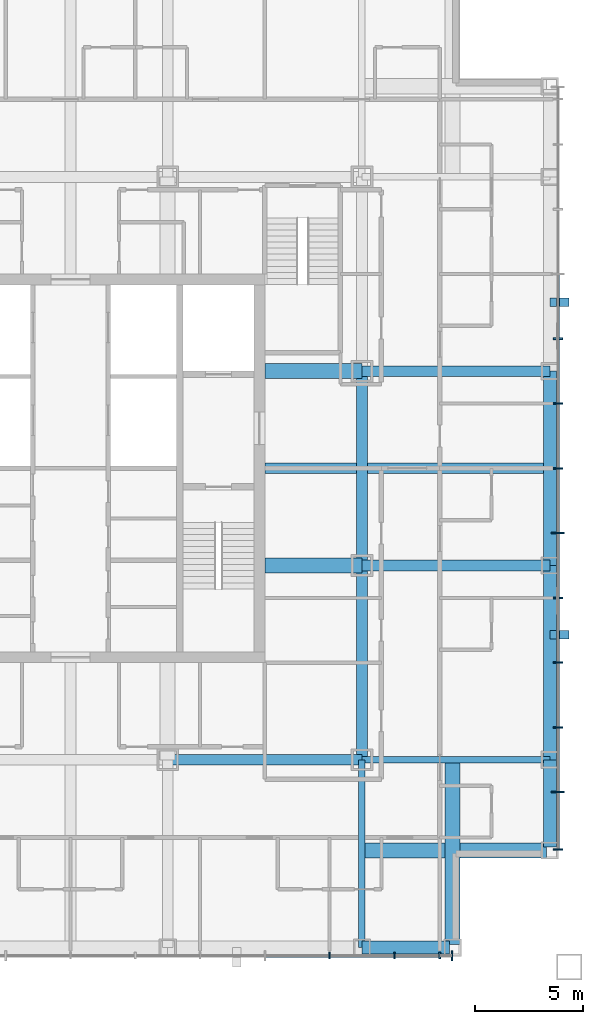
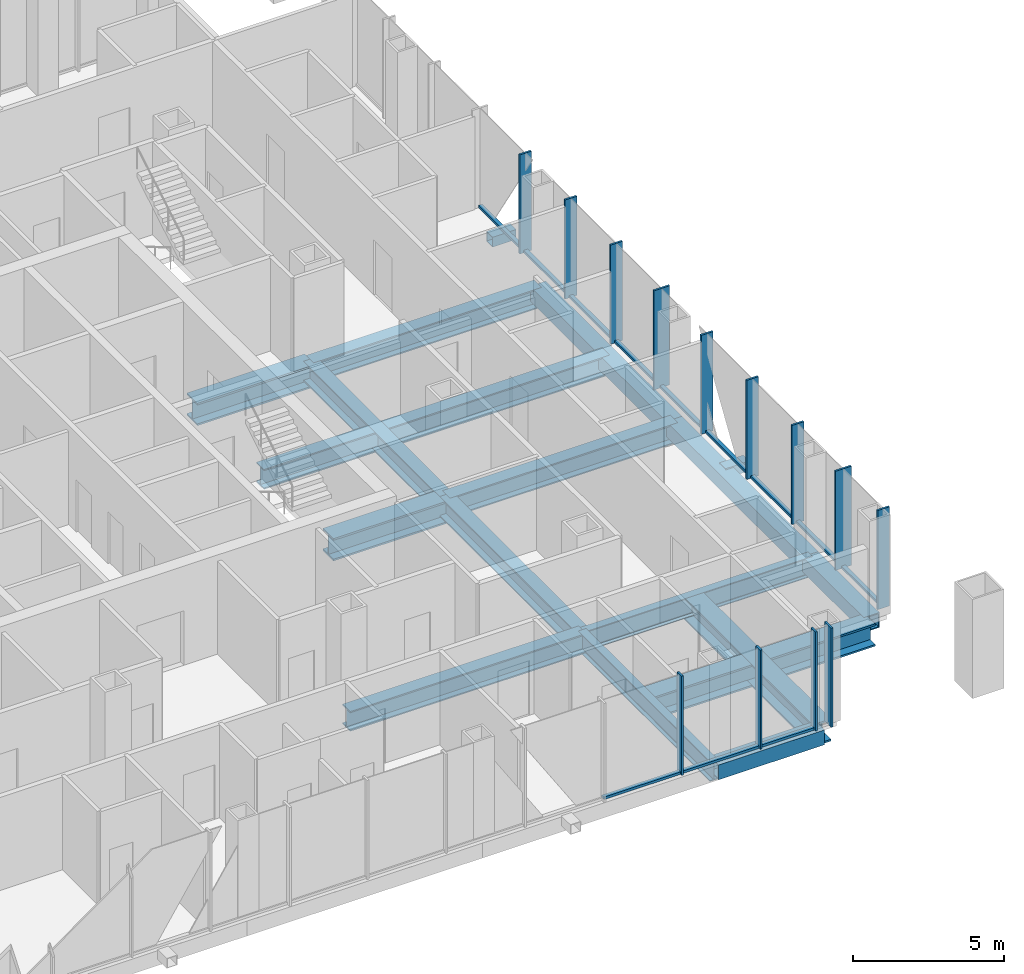
# One storey, part 3 of 20: 27 members, 16 beams, 2 elements without a shape of their own.
"""IFC4 building model written with IfcOpenShell, lengths in metres."""

from ifc_helpers import new_model, si_unit, direction, frame, origin, origin_2d, place, context, subcontext, project, spatial, rectangle, hollow_rectangle, i_section, extrude, material, layer, layer_set, material_profile, profile_set, type_object, element, aggregate, save


model = new_model("IFC4")

# Units and contexts
model_context = context("Model", 3, precision=1e-05, world=origin(), true_north=direction((0.0, 1.0)))
body_context = subcontext(model_context, "Body", "Model", "MODEL_VIEW")
ifc_project = project(units=[si_unit("LENGTHUNIT", "METRE"), si_unit("AREAUNIT", "SQUARE_METRE"), si_unit("VOLUMEUNIT", "CUBIC_METRE"), si_unit("PLANEANGLEUNIT", "RADIAN"), si_unit("MASSUNIT", "GRAM", prefix="KILO")], contexts=[model_context])

# Site, building, storey
site_placement = place(None, origin())
site = spatial("IfcSite", under=ifc_project, at=site_placement, CompositionType="ELEMENT")
building_placement = place(site_placement, origin())
building = spatial("IfcBuilding", under=site, at=building_placement, Name="Malebo Sky Hospital", CompositionType="ELEMENT")
storey_placement = place(building_placement, frame((0.0, 0.0, 233.0)))
storey = spatial("IfcBuildingStorey", under=building, at=storey_placement, Name="L56", CompositionType="ELEMENT", Elevation=233.0)

# Curtain wall, members
ifc_material_1 = material(Name="Anodised aluminium, natural silver", Category="aluminium")
ifc_layer_1 = layer(ifc_material_1, 0.25)
ifc_layer_set_1 = layer_set([ifc_layer_1], Name="WARD CURTAIN WALL NORTH AND SOUTH")
curtain_wall_type_1 = type_object("IfcCurtainWallType", Name="WARD CURTAIN WALL NORTH AND SOUTH", PredefinedType="NOTDEFINED", material=ifc_layer_set_1)
curtain_wall_1_placement = place(storey_placement, origin())
curtain_wall_1 = element("IfcCurtainWall", 1, at=curtain_wall_1_placement, inside=storey, type_object=curtain_wall_type_1, Name="NS curtain wall S", PredefinedType="NOTDEFINED")
ifc_material_profile_1 = material_profile(ifc_material_1, rectangle(XDim=0.14990234375, YDim=0.10009765625, at=origin_2d()), Name="ALUMINIUM TRANSOM 150x100")
ifc_profile_set_1 = profile_set([ifc_material_profile_1], Name="Anodised aluminium, natural silver")
member_type_1 = type_object("IfcMemberType", Name="ALUMINIUM TRANSOM 150x100", PredefinedType="USERDEFINED", material=ifc_profile_set_1)
member_1_placement = place(storey_placement, frame((77.0625, 39.425048828125, 0.050048828125), z_axis=(-1.0, 0.0, 0.0), x_axis=(0.0, -1.0, 0.0)))
member_1 = element("IfcMember", 2, at=member_1_placement, type_object=member_type_1, Name="Transom 2", ObjectType="TRANSOM", PredefinedType="USERDEFINED", context=body_context, shape_type="SweptSolid", body=[
    extrude(rectangle(XDim=0.14990234375, YDim=0.10009765625, at=origin_2d()), origin(), (0.0, 0.0, 1.0), 2.02490234375),
])
member_2_placement = place(storey_placement, frame((74.96240234375, 39.425048828125, 0.050048828125), z_axis=(-1.0, 0.0, 0.0), x_axis=(0.0, -1.0, 0.0)))
member_2 = element("IfcMember", 3, at=member_2_placement, type_object=member_type_1, Name="Transom 3", ObjectType="TRANSOM", PredefinedType="USERDEFINED", context=body_context, shape_type="SweptSolid", body=[
    extrude(rectangle(XDim=0.14990234375, YDim=0.10009765625, at=origin_2d()), origin(), (0.0, 0.0, 1.0), 2.9248046875),
])
member_3_placement = place(storey_placement, frame((71.96240234375, 39.425048828125, 0.050048828125), z_axis=(-1.0, 0.0, 0.0), x_axis=(0.0, -1.0, 0.0)))
member_3 = element("IfcMember", 4, at=member_3_placement, type_object=member_type_1, Name="Transom 4", ObjectType="TRANSOM", PredefinedType="USERDEFINED", context=body_context, shape_type="SweptSolid", body=[
    extrude(rectangle(XDim=0.14990234375, YDim=0.10009765625, at=origin_2d()), origin(), (0.0, 0.0, 1.0), 2.9248046875),
])

ifc_layer_2 = layer(ifc_material_1, 0.25)
ifc_layer_set_2 = layer_set([ifc_layer_2], Name="WARD CURTAIN WALL EAST AND WEST")
curtain_wall_type_2 = type_object("IfcCurtainWallType", Name="WARD CURTAIN WALL EAST AND WEST", PredefinedType="NOTDEFINED", material=ifc_layer_set_2)
curtain_wall_2_placement = place(storey_placement, origin())
curtain_wall_2 = element("IfcCurtainWall", 5, at=curtain_wall_2_placement, inside=storey, type_object=curtain_wall_type_2, Name="EW curtain wall E", PredefinedType="NOTDEFINED")
member_4_placement = place(storey_placement, frame((82.574951171875, 70.96240234375, 0.050048828125), z_axis=(0.0, -1.0, 0.0), x_axis=(1.0, 0.0, 0.0)))
member_4 = element("IfcMember", 6, at=member_4_placement, type_object=member_type_1, Name="Transom 5", ObjectType="TRANSOM", PredefinedType="USERDEFINED", context=body_context, shape_type="SweptSolid", body=[
    extrude(rectangle(XDim=0.14990234375, YDim=0.10009765625, at=origin_2d()), origin(), (0.0, 0.0, 1.0), 2.9248046875),
])
member_5_placement = place(storey_placement, frame((82.574951171875, 67.96240234375, 0.050048828125), z_axis=(0.0, -1.0, 0.0), x_axis=(1.0, 0.0, 0.0)))
member_5 = element("IfcMember", 7, at=member_5_placement, type_object=member_type_1, Name="Transom 6", ObjectType="TRANSOM", PredefinedType="USERDEFINED", context=body_context, shape_type="SweptSolid", body=[
    extrude(rectangle(XDim=0.14990234375, YDim=0.10009765625, at=origin_2d()), origin(), (0.0, 0.0, 1.0), 2.9248046875),
])
member_6_placement = place(storey_placement, frame((82.574951171875, 64.96240234375, 0.050048828125), z_axis=(0.0, -1.0, 0.0), x_axis=(1.0, 0.0, 0.0)))
member_6 = element("IfcMember", 8, at=member_6_placement, type_object=member_type_1, Name="Transom 7", ObjectType="TRANSOM", PredefinedType="USERDEFINED", context=body_context, shape_type="SweptSolid", body=[
    extrude(rectangle(XDim=0.14990234375, YDim=0.10009765625, at=origin_2d()), origin(), (0.0, 0.0, 1.0), 2.9248046875),
])
member_7_placement = place(storey_placement, frame((82.574951171875, 61.96240234375, 0.050048828125), z_axis=(0.0, -1.0, 0.0), x_axis=(1.0, 0.0, 0.0)))
member_7 = element("IfcMember", 9, at=member_7_placement, type_object=member_type_1, Name="Transom 8", ObjectType="TRANSOM", PredefinedType="USERDEFINED", context=body_context, shape_type="SweptSolid", body=[
    extrude(rectangle(XDim=0.14990234375, YDim=0.10009765625, at=origin_2d()), origin(), (0.0, 0.0, 1.0), 2.9248046875),
])
member_8_placement = place(storey_placement, frame((82.574951171875, 58.96240234375, 0.050048828125), z_axis=(0.0, -1.0, 0.0), x_axis=(1.0, 0.0, 0.0)))
member_8 = element("IfcMember", 10, at=member_8_placement, type_object=member_type_1, Name="Transom 9", ObjectType="TRANSOM", PredefinedType="USERDEFINED", context=body_context, shape_type="SweptSolid", body=[
    extrude(rectangle(XDim=0.14990234375, YDim=0.10009765625, at=origin_2d()), origin(), (0.0, 0.0, 1.0), 2.9248046875),
])
member_9_placement = place(storey_placement, frame((82.574951171875, 55.96240234375, 0.050048828125), z_axis=(0.0, -1.0, 0.0), x_axis=(1.0, 0.0, 0.0)))
member_9 = element("IfcMember", 11, at=member_9_placement, type_object=member_type_1, Name="Transom 10", ObjectType="TRANSOM", PredefinedType="USERDEFINED", context=body_context, shape_type="SweptSolid", body=[
    extrude(rectangle(XDim=0.14990234375, YDim=0.10009765625, at=origin_2d()), origin(), (0.0, 0.0, 1.0), 2.9248046875),
])
member_10_placement = place(storey_placement, frame((82.574951171875, 52.96240234375, 0.050048828125), z_axis=(0.0, -1.0, 0.0), x_axis=(1.0, 0.0, 0.0)))
member_10 = element("IfcMember", 12, at=member_10_placement, type_object=member_type_1, Name="Transom 11", ObjectType="TRANSOM", PredefinedType="USERDEFINED", context=body_context, shape_type="SweptSolid", body=[
    extrude(rectangle(XDim=0.14990234375, YDim=0.10009765625, at=origin_2d()), origin(), (0.0, 0.0, 1.0), 2.9248046875),
])
member_11_placement = place(storey_placement, frame((82.574951171875, 49.96240234375, 0.050048828125), z_axis=(0.0, -1.0, 0.0), x_axis=(1.0, 0.0, 0.0)))
member_11 = element("IfcMember", 13, at=member_11_placement, type_object=member_type_1, Name="Transom 12", ObjectType="TRANSOM", PredefinedType="USERDEFINED", context=body_context, shape_type="SweptSolid", body=[
    extrude(rectangle(XDim=0.14990234375, YDim=0.10009765625, at=origin_2d()), origin(), (0.0, 0.0, 1.0), 2.9248046875),
])
member_12_placement = place(storey_placement, frame((82.574951171875, 46.96240234375, 0.050048828125), z_axis=(0.0, -1.0, 0.0), x_axis=(1.0, 0.0, 0.0)))
member_12 = element("IfcMember", 14, at=member_12_placement, type_object=member_type_1, Name="Transom 13", ObjectType="TRANSOM", PredefinedType="USERDEFINED", context=body_context, shape_type="SweptSolid", body=[
    extrude(rectangle(XDim=0.14990234375, YDim=0.10009765625, at=origin_2d()), origin(), (0.0, 0.0, 1.0), 2.58740234375),
])

# Members
ifc_material_2 = material(Name="Steel S355", Category="steel")
ifc_material_profile_2 = material_profile(ifc_material_2, hollow_rectangle(XDim=0.39990234375, YDim=0.39990234375, WallThickness=0.02001953125, at=origin_2d()), Name="SHS 400x20")
ifc_profile_set_2 = profile_set([ifc_material_profile_2], Name="Steel S355")
member_type_2 = type_object("IfcMemberType", Name="BRACE STRUT SHS 400x20", PredefinedType="STRUT", material=ifc_profile_set_2)
for number, where, z_axis, x_axis, name in (
    (15, (83.10009765625, 54.300048828125, -0.39990234375), (-1.0, 0.0, 0.0), (0.0, -1.0, 0.0), "Brace strut CE1 L56"),
    (16, (83.10009765625, 69.699951171875, -0.39990234375), (-1.0, 0.0, 0.0), (0.0, -1.0, 0.0), "Brace strut CE2 L56"),
):
    element("IfcMember", number, at=place(storey_placement, frame(where, z_axis=z_axis, x_axis=x_axis)), inside=storey, type_object=member_type_2, Name=name, PredefinedType="STRUT", context=body_context, shape_type="SweptSolid", body=[
        extrude(hollow_rectangle(XDim=0.39990234375, YDim=0.39990234375, WallThickness=0.02001953125, at=origin_2d()), origin(), (0.0, 0.0, 1.0), 0.900146484375),
    ])

# Member
ifc_material_profile_3 = material_profile(ifc_material_1, rectangle(XDim=0.074951171875, YDim=0.300048828125, at=origin_2d()), Name="CW1 ALUMINIUM FIN MULLION 75x300")
ifc_profile_set_3 = profile_set([ifc_material_profile_3], Name="Anodised aluminium, natural silver")
member_type_3 = type_object("IfcMemberType", Name="CW1 ALUMINIUM FIN MULLION 75x300", PredefinedType="MULLION", material=ifc_profile_set_3)
member_13_placement = place(storey_placement, frame((77.10009765625, 39.425048828125, 0.0), z_axis=(0.0, 0.0, 1.0), x_axis=(-1.0, 0.0, 0.0)))
member_13 = element("IfcMember", 17, at=member_13_placement, type_object=member_type_3, Name="Fin mullion 2", PredefinedType="MULLION", context=body_context, shape_type="SweptSolid", body=[
    extrude(rectangle(XDim=0.074951171875, YDim=0.300048828125, at=origin_2d()), origin(), (0.0, 0.0, 1.0), 4.0),
])

member_14_placement = place(storey_placement, frame((75.0, 39.425048828125, 0.0), z_axis=(0.0, 0.0, 1.0), x_axis=(-1.0, 0.0, 0.0)))
member_14 = element("IfcMember", 18, at=member_14_placement, type_object=member_type_3, Name="Fin mullion 3", PredefinedType="MULLION", context=body_context, shape_type="SweptSolid", body=[
    extrude(rectangle(XDim=0.074951171875, YDim=0.300048828125, at=origin_2d()), origin(), (0.0, 0.0, 1.0), 4.0),
])

member_15_placement = place(storey_placement, frame((72.0, 39.425048828125, 0.0), z_axis=(0.0, 0.0, 1.0), x_axis=(-1.0, 0.0, 0.0)))
member_15 = element("IfcMember", 19, at=member_15_placement, type_object=member_type_3, Name="Fin mullion 4", PredefinedType="MULLION", context=body_context, shape_type="SweptSolid", body=[
    extrude(rectangle(XDim=0.074951171875, YDim=0.300048828125, at=origin_2d()), origin(), (0.0, 0.0, 1.0), 4.0),
])

ifc_material_profile_4 = material_profile(ifc_material_1, rectangle(XDim=0.074951171875, YDim=0.449951171875, at=origin_2d()), Name="CW1 ALUMINIUM FIN MULLION 75x450")
ifc_profile_set_4 = profile_set([ifc_material_profile_4], Name="Anodised aluminium, natural silver")
member_type_4 = type_object("IfcMemberType", Name="CW1 ALUMINIUM FIN MULLION 75x450", PredefinedType="MULLION", material=ifc_profile_set_4)
member_16_placement = place(storey_placement, frame((77.66259765625, 39.425048828125, 0.0), z_axis=(0.0, 0.0, 1.0), x_axis=(-1.0, 0.0, 0.0)))
member_16 = element("IfcMember", 20, at=member_16_placement, type_object=member_type_4, Name="Fin mullion 1", PredefinedType="MULLION", context=body_context, shape_type="SweptSolid", body=[
    extrude(rectangle(XDim=0.074951171875, YDim=0.449951171875, at=origin_2d()), origin(), (0.0, 0.0, 1.0), 4.0),
])

aggregate(curtain_wall_1, [member_16, member_13, member_14, member_15, member_1, member_2, member_3])

ifc_material_profile_5 = material_profile(ifc_material_1, rectangle(XDim=0.074951171875, YDim=0.449951171875, at=origin_2d()), Name="CW2 ALUMINIUM FIN MULLION 75x450")
ifc_profile_set_5 = profile_set([ifc_material_profile_5], Name="Anodised aluminium, natural silver")
member_type_5 = type_object("IfcMemberType", Name="CW2 ALUMINIUM FIN MULLION 75x450", PredefinedType="MULLION", material=ifc_profile_set_5)
member_17_placement = place(storey_placement, frame((82.574951171875, 68.0, 0.0), z_axis=(0.0, 0.0, 1.0), x_axis=(0.0, -1.0, 0.0)))
member_17 = element("IfcMember", 21, at=member_17_placement, type_object=member_type_5, Name="Fin mullion 6", PredefinedType="MULLION", context=body_context, shape_type="SweptSolid", body=[
    extrude(rectangle(XDim=0.074951171875, YDim=0.449951171875, at=origin_2d()), origin(), (0.0, 0.0, 1.0), 4.0),
])

member_18_placement = place(storey_placement, frame((82.574951171875, 65.0, 0.0), z_axis=(0.0, 0.0, 1.0), x_axis=(0.0, -1.0, 0.0)))
member_18 = element("IfcMember", 22, at=member_18_placement, type_object=member_type_5, Name="Fin mullion 7", PredefinedType="MULLION", context=body_context, shape_type="SweptSolid", body=[
    extrude(rectangle(XDim=0.074951171875, YDim=0.449951171875, at=origin_2d()), origin(), (0.0, 0.0, 1.0), 4.0),
])

member_19_placement = place(storey_placement, frame((82.574951171875, 62.0, 0.0), z_axis=(0.0, 0.0, 1.0), x_axis=(0.0, -1.0, 0.0)))
member_19 = element("IfcMember", 23, at=member_19_placement, type_object=member_type_5, Name="Fin mullion 8", PredefinedType="MULLION", context=body_context, shape_type="SweptSolid", body=[
    extrude(rectangle(XDim=0.074951171875, YDim=0.449951171875, at=origin_2d()), origin(), (0.0, 0.0, 1.0), 4.0),
])

member_20_placement = place(storey_placement, frame((82.574951171875, 56.0, 0.0), z_axis=(0.0, 0.0, 1.0), x_axis=(0.0, -1.0, 0.0)))
member_20 = element("IfcMember", 24, at=member_20_placement, type_object=member_type_5, Name="Fin mullion 10", PredefinedType="MULLION", context=body_context, shape_type="SweptSolid", body=[
    extrude(rectangle(XDim=0.074951171875, YDim=0.449951171875, at=origin_2d()), origin(), (0.0, 0.0, 1.0), 4.0),
])

member_21_placement = place(storey_placement, frame((82.574951171875, 53.0, 0.0), z_axis=(0.0, 0.0, 1.0), x_axis=(0.0, -1.0, 0.0)))
member_21 = element("IfcMember", 25, at=member_21_placement, type_object=member_type_5, Name="Fin mullion 11", PredefinedType="MULLION", context=body_context, shape_type="SweptSolid", body=[
    extrude(rectangle(XDim=0.074951171875, YDim=0.449951171875, at=origin_2d()), origin(), (0.0, 0.0, 1.0), 4.0),
])

member_22_placement = place(storey_placement, frame((82.574951171875, 50.0, 0.0), z_axis=(0.0, 0.0, 1.0), x_axis=(0.0, -1.0, 0.0)))
member_22 = element("IfcMember", 26, at=member_22_placement, type_object=member_type_5, Name="Fin mullion 12", PredefinedType="MULLION", context=body_context, shape_type="SweptSolid", body=[
    extrude(rectangle(XDim=0.074951171875, YDim=0.449951171875, at=origin_2d()), origin(), (0.0, 0.0, 1.0), 4.0),
])

member_23_placement = place(storey_placement, frame((82.574951171875, 44.33740234375, 0.0), z_axis=(0.0, 0.0, 1.0), x_axis=(0.0, -1.0, 0.0)))
member_23 = element("IfcMember", 27, at=member_23_placement, type_object=member_type_5, Name="Fin mullion 14", PredefinedType="MULLION", context=body_context, shape_type="SweptSolid", body=[
    extrude(rectangle(XDim=0.074951171875, YDim=0.449951171875, at=origin_2d()), origin(), (0.0, 0.0, 1.0), 4.0),
])

ifc_material_profile_6 = material_profile(ifc_material_1, rectangle(XDim=0.074951171875, YDim=0.60009765625, at=origin_2d()), Name="CW2 ALUMINIUM FIN MULLION 75x600")
ifc_profile_set_6 = profile_set([ifc_material_profile_6], Name="Anodised aluminium, natural silver")
member_type_6 = type_object("IfcMemberType", Name="CW2 ALUMINIUM FIN MULLION 75x600", PredefinedType="MULLION", material=ifc_profile_set_6)
member_24_placement = place(storey_placement, frame((82.574951171875, 59.0, 0.0), z_axis=(0.0, 0.0, 1.0), x_axis=(0.0, -1.0, 0.0)))
member_24 = element("IfcMember", 28, at=member_24_placement, type_object=member_type_6, Name="Fin mullion 9", PredefinedType="MULLION", context=body_context, shape_type="SweptSolid", body=[
    extrude(rectangle(XDim=0.074951171875, YDim=0.60009765625, at=origin_2d()), origin(), (0.0, 0.0, 1.0), 4.0),
])

member_25_placement = place(storey_placement, frame((82.574951171875, 47.0, 0.0), z_axis=(0.0, 0.0, 1.0), x_axis=(0.0, -1.0, 0.0)))
member_25 = element("IfcMember", 29, at=member_25_placement, type_object=member_type_6, Name="Fin mullion 13", PredefinedType="MULLION", context=body_context, shape_type="SweptSolid", body=[
    extrude(rectangle(XDim=0.074951171875, YDim=0.60009765625, at=origin_2d()), origin(), (0.0, 0.0, 1.0), 4.0),
])

aggregate(curtain_wall_2, [member_17, member_18, member_19, member_24, member_20, member_21, member_22, member_25, member_23, member_4, member_5, member_6, member_7, member_8, member_9, member_10, member_11, member_12])

# Beams
ifc_material_3 = material(Name="Steel S460", Category="steel")
ifc_material_profile_7 = material_profile(ifc_material_3, hollow_rectangle(XDim=0.60009765625, YDim=0.60009765625, WallThickness=0.0400390625, at=origin_2d()), Name="BOX 600x600x40")
ifc_profile_set_7 = profile_set([ifc_material_profile_7], Name="Steel S460")
beam_type_1 = type_object("IfcBeamType", Name="EDGE BEAM BOX 600x600x40", PredefinedType="BEAM", material=ifc_profile_set_7)
beam_1_placement = place(storey_placement, frame((82.199951171875, 44.449951171875, -0.550048828125), z_axis=(0.0, 1.0, 0.0), x_axis=(-1.0, 0.0, 0.0)))
element("IfcBeam", 30, at=beam_1_placement, inside=storey, type_object=beam_type_1, Name="Beam 029 L56", PredefinedType="BEAM", context=body_context, shape_type="SweptSolid", body=[
    extrude(hollow_rectangle(XDim=0.60009765625, YDim=0.60009765625, WallThickness=0.0400390625, at=origin_2d()), origin(), (0.0, 0.0, 1.0), 4.050048828125),
])
for number, where, z_axis, x_axis, name in (
    (31, (82.199951171875, 48.5, -0.550048828125), (0.0, 1.0, 0.0), (-1.0, 0.0, 0.0), "Beam 030 L56"),
    (32, (82.199951171875, 57.5, -0.550048828125), (0.0, 1.0, 0.0), (-1.0, 0.0, 0.0), "Beam 031 L56"),
):
    element("IfcBeam", number, at=place(storey_placement, frame(where, z_axis=z_axis, x_axis=x_axis)), inside=storey, type_object=beam_type_1, Name=name, PredefinedType="BEAM", context=body_context, shape_type="SweptSolid", body=[
        extrude(hollow_rectangle(XDim=0.60009765625, YDim=0.60009765625, WallThickness=0.0400390625, at=origin_2d()), origin(), (0.0, 0.0, 1.0), 9.0),
    ])
beam_2_placement = place(storey_placement, frame((73.5, 39.800048828125, -0.550048828125), z_axis=(1.0, 0.0, 0.0), x_axis=(0.0, 1.0, 0.0)))
element("IfcBeam", 33, at=beam_2_placement, inside=storey, type_object=beam_type_1, Name="Beam 038 L56", PredefinedType="BEAM", context=body_context, shape_type="SweptSolid", body=[
    extrude(hollow_rectangle(XDim=0.60009765625, YDim=0.60009765625, WallThickness=0.0400390625, at=origin_2d()), origin(), (0.0, 0.0, 1.0), 4.050048828125),
])
ifc_material_profile_8 = material_profile(ifc_material_2, i_section(OverallWidth=0.5, OverallDepth=0.800048828125, WebThickness=0.030029296875, FlangeThickness=0.050048828125, at=origin_2d()), Name="PG 800x500x30x50")
ifc_profile_set_8 = profile_set([ifc_material_profile_8], Name="Steel S355")
beam_type_2 = type_object("IfcBeamType", Name="FLOOR BEAM PG 800x500x30x50", PredefinedType="BEAM", material=ifc_profile_set_8)
for number, where, z_axis, x_axis, name in (
    (34, (73.5, 48.5, -0.64990234375), (0.0, 1.0, 0.0), (-1.0, 0.0, 0.0), "Beam 023 L56"),
    (35, (64.5, 48.5, -0.64990234375), (1.0, 0.0, 0.0), (0.0, 1.0, 0.0), "Beam 044 L56"),
):
    element("IfcBeam", number, at=place(storey_placement, frame(where, z_axis=z_axis, x_axis=x_axis)), inside=storey, type_object=beam_type_2, Name=name, PredefinedType="BEAM", context=body_context, shape_type="SweptSolid", body=[
        extrude(i_section(OverallWidth=0.5, OverallDepth=0.800048828125, WebThickness=0.030029296875, FlangeThickness=0.050048828125, at=origin_2d()), origin(), (0.0, 0.0, 1.0), 9.0),
    ])
beam_3_placement = place(storey_placement, frame((73.5, 57.5, -0.64990234375), z_axis=(1.0, 0.0, 0.0), x_axis=(0.0, 1.0, 0.0)))
element("IfcBeam", 36, at=beam_3_placement, inside=storey, type_object=beam_type_2, Name="Beam 049 L56", PredefinedType="BEAM", context=body_context, shape_type="SweptSolid", body=[
    extrude(i_section(OverallWidth=0.5, OverallDepth=0.800048828125, WebThickness=0.030029296875, FlangeThickness=0.050048828125, at=origin_2d()), origin(), (0.0, 0.0, 1.0), 8.699951171875),
])
beam_4_placement = place(storey_placement, frame((69.0, 62.0, -0.64990234375), z_axis=(1.0, 0.0, 0.0), x_axis=(0.0, 1.0, 0.0)))
element("IfcBeam", 37, at=beam_4_placement, inside=storey, type_object=beam_type_2, Name="Beam 051 L56", PredefinedType="BEAM", context=body_context, shape_type="SweptSolid", body=[
    extrude(i_section(OverallWidth=0.5, OverallDepth=0.800048828125, WebThickness=0.030029296875, FlangeThickness=0.050048828125, at=origin_2d()), origin(), (0.0, 0.0, 1.0), 13.199951171875),
])
beam_5_placement = place(storey_placement, frame((73.5, 66.5, -0.64990234375), z_axis=(1.0, 0.0, 0.0), x_axis=(0.0, 1.0, 0.0)))
element("IfcBeam", 38, at=beam_5_placement, inside=storey, type_object=beam_type_2, Name="Beam 055 L56", PredefinedType="BEAM", context=body_context, shape_type="SweptSolid", body=[
    extrude(i_section(OverallWidth=0.5, OverallDepth=0.800048828125, WebThickness=0.030029296875, FlangeThickness=0.050048828125, at=origin_2d()), origin(), (0.0, 0.0, 1.0), 8.699951171875),
])
ifc_material_profile_9 = material_profile(ifc_material_2, i_section(OverallWidth=0.699951171875, OverallDepth=0.89990234375, WebThickness=0.0400390625, FlangeThickness=0.070068359375, at=origin_2d()), Name="PG 900x700x40x70")
ifc_profile_set_9 = profile_set([ifc_material_profile_9], Name="Steel S355")
beam_type_3 = type_object("IfcBeamType", Name="FLOOR BEAM PG 900x700x40x70", PredefinedType="BEAM", material=ifc_profile_set_9)
for number, where, z_axis, x_axis, name in (
    (39, (77.699951171875, 39.949951171875, -0.699951171875), (0.0, 1.0, 0.0), (-1.0, 0.0, 0.0), "Beam 027 L56"),
    (40, (73.5, 44.300048828125, -0.699951171875), (1.0, 0.0, 0.0), (0.0, 1.0, 0.0), "Beam 040 L56"),
):
    element("IfcBeam", number, at=place(storey_placement, frame(where, z_axis=z_axis, x_axis=x_axis)), inside=storey, type_object=beam_type_3, Name=name, PredefinedType="BEAM", context=body_context, shape_type="SweptSolid", body=[
        extrude(i_section(OverallWidth=0.699951171875, OverallDepth=0.89990234375, WebThickness=0.0400390625, FlangeThickness=0.070068359375, at=origin_2d()), origin(), (0.0, 0.0, 1.0), 8.550048828125),
    ])
for number, where, z_axis, x_axis, name in (
    (41, (69.0, 57.5, -0.699951171875), (1.0, 0.0, 0.0), (0.0, 1.0, 0.0), "Beam 048 L56"),
    (42, (69.0, 66.5, -0.699951171875), (1.0, 0.0, 0.0), (0.0, 1.0, 0.0), "Beam 054 L56"),
):
    element("IfcBeam", number, at=place(storey_placement, frame(where, z_axis=z_axis, x_axis=x_axis)), inside=storey, type_object=beam_type_3, Name=name, PredefinedType="BEAM", context=body_context, shape_type="SweptSolid", body=[
        extrude(i_section(OverallWidth=0.699951171875, OverallDepth=0.89990234375, WebThickness=0.0400390625, FlangeThickness=0.070068359375, at=origin_2d()), origin(), (0.0, 0.0, 1.0), 4.5),
    ])
ifc_material_profile_10 = material_profile(ifc_material_2, i_section(OverallWidth=0.300048828125, OverallDepth=0.800048828125, WebThickness=0.017578125, FlangeThickness=0.032958984375, FilletRadius=0.030029296875, at=origin_2d()), Name="HEB 800")
ifc_profile_set_10 = profile_set([ifc_material_profile_10], Name="Steel S355")
beam_type_4 = type_object("IfcBeamType", Name="FLOOR GIRDER HEB 800", PredefinedType="BEAM", material=ifc_profile_set_10)
for number, where, z_axis, x_axis, name in (
    (43, (73.5, 39.800048828125, -0.64990234375), (0.0, 1.0, 0.0), (-1.0, 0.0, 0.0), "Beam 022 L56"),
    (44, (73.5, 48.5, -0.64990234375), (1.0, 0.0, 0.0), (0.0, 1.0, 0.0), "Beam 045 L56"),
):
    element("IfcBeam", number, at=place(storey_placement, frame(where, z_axis=z_axis, x_axis=x_axis)), inside=storey, type_object=beam_type_4, Name=name, PredefinedType="BEAM", context=body_context, shape_type="SweptSolid", body=[
        extrude(i_section(OverallWidth=0.300048828125, OverallDepth=0.800048828125, WebThickness=0.017578125, FlangeThickness=0.032958984375, FilletRadius=0.030029296875, at=origin_2d()), origin(), (0.0, 0.0, 1.0), 8.699951171875),
    ])
ifc_material_profile_11 = material_profile(ifc_material_2, i_section(OverallWidth=0.5, OverallDepth=0.800048828125, WebThickness=0.030029296875, FlangeThickness=0.050048828125, at=origin_2d()), Name="PG 800x500x30x50")
ifc_profile_set_11 = profile_set([ifc_material_profile_11], Name="Steel S355")
beam_type_5 = type_object("IfcBeamType", Name="RING GIRDER PG 800x500x30x50", PredefinedType="BEAM", material=ifc_profile_set_11)
beam_6_placement = place(storey_placement, frame((73.5, 57.5, -0.64990234375), z_axis=(0.0, 1.0, 0.0), x_axis=(-1.0, 0.0, 0.0)))
element("IfcBeam", 45, at=beam_6_placement, inside=storey, type_object=beam_type_5, Name="Beam 024 L56", PredefinedType="BEAM", context=body_context, shape_type="SweptSolid", body=[
    extrude(i_section(OverallWidth=0.5, OverallDepth=0.800048828125, WebThickness=0.030029296875, FlangeThickness=0.050048828125, at=origin_2d()), origin(), (0.0, 0.0, 1.0), 9.0),
])

save(model, "model.ifc")
